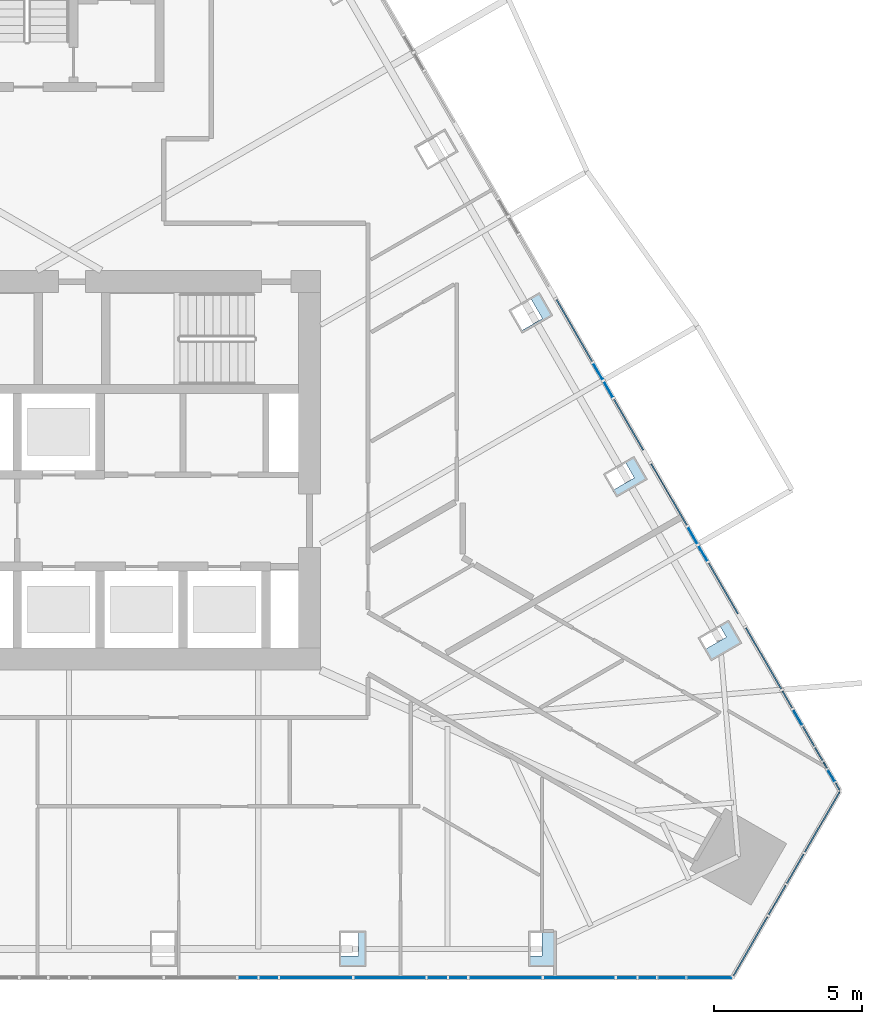
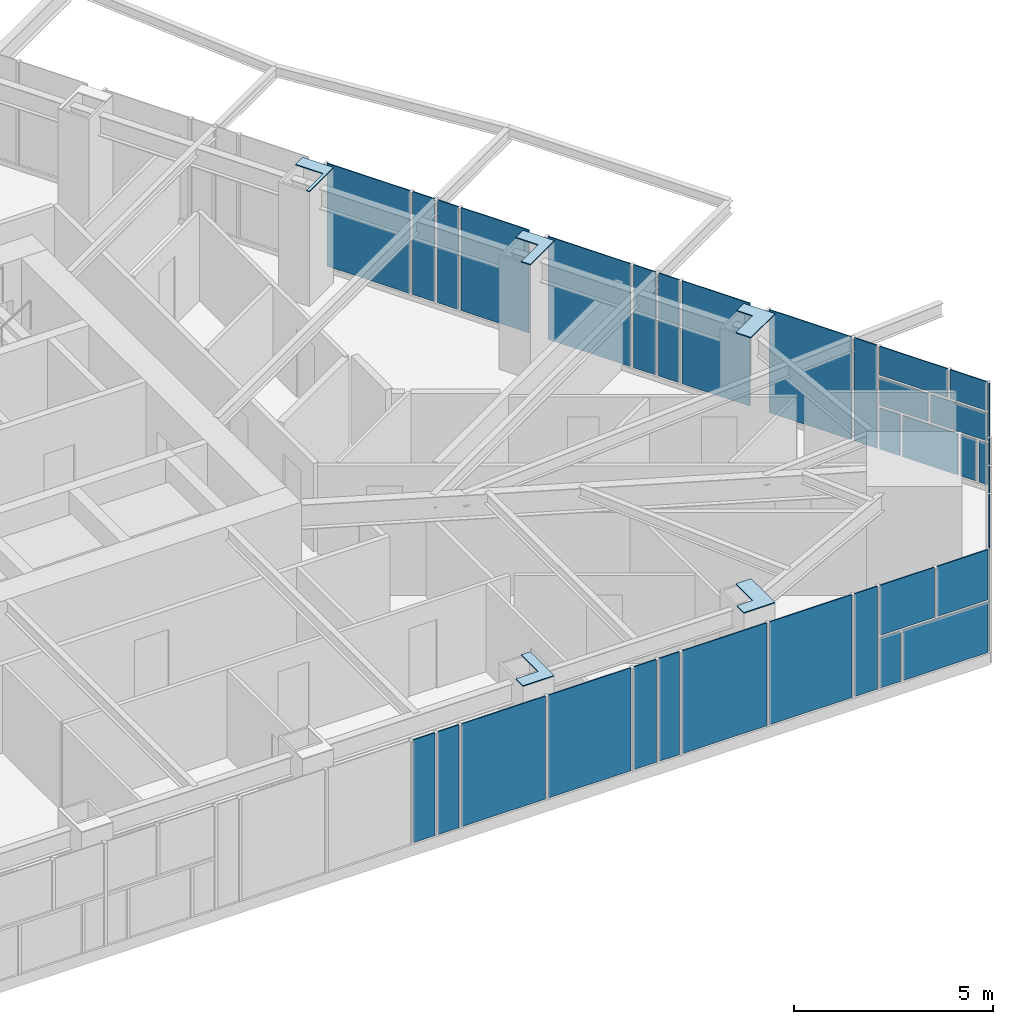
# One storey, part 19 of 26: 40 plates, 3 elements without a shape of their own.
"""IFC4 building model written with IfcOpenShell, lengths in metres."""

from ifc_helpers import new_model, si_unit, direction, frame, origin, place, context, subcontext, project, spatial, polyline, outline, extrude, material, layer, layer_set, type_object, element, aggregate, save


model = new_model("IFC4")

# Units and contexts
model_context = context("Model", 3, precision=1e-05, world=origin(), true_north=direction((0.0, 1.0)))
body_context = subcontext(model_context, "Body", "Model", "MODEL_VIEW")
ifc_project = project(units=[si_unit("LENGTHUNIT", "METRE"), si_unit("AREAUNIT", "SQUARE_METRE"), si_unit("VOLUMEUNIT", "CUBIC_METRE"), si_unit("PLANEANGLEUNIT", "RADIAN"), si_unit("MASSUNIT", "GRAM", prefix="KILO")], contexts=[model_context])

# Site, building, storey
site_placement = place(None, origin())
site = spatial("IfcSite", under=ifc_project, at=site_placement, CompositionType="ELEMENT")
building_placement = place(site_placement, origin())
building = spatial("IfcBuilding", under=site, at=building_placement, Name="Firuza Gate Tower and Library", CompositionType="ELEMENT")
storey_placement = place(building_placement, frame((0.0, 0.0, 288.10009765625)))
storey = spatial("IfcBuildingStorey", under=building, at=storey_placement, Name="L69", CompositionType="ELEMENT", Elevation=288.10009765625)

# Plates
ifc_material_1 = material(Name="Steel S355", Category="steel")
ifc_layer_1 = layer(ifc_material_1, 0.030029296875)
ifc_layer_set_1 = layer_set([ifc_layer_1], Name="Column infill plate 30 Steel S355")
plate_type_1 = type_object("IfcPlateType", Name="Column infill plate 30 Steel S355", PredefinedType="SHEET", material=ifc_layer_set_1)
placement_1 = place(storey_placement, frame((0.0, 0.0, 3.5)))
element("IfcPlate", 1, at=placement_1, inside=storey, type_object=plate_type_1, Name="Infill plate L69:S5", PredefinedType="SHEET", context=body_context, shape_type="SweptSolid", body=[
    extrude(outline(polyline([(85.033935546875, 59.431884765625), (84.77001953125, 59.431884765625), (84.77001953125, 58.587646484375), (84.134033203125, 58.587646484375), (84.134033203125, 58.23193359375), (85.033935546875, 58.23193359375), (85.033935546875, 59.431884765625)])), origin(), (0.0, 0.0, 1.0), 0.02978515625),
])
element("IfcPlate", 2, at=placement_1, inside=storey, type_object=plate_type_1, Name="Infill plate L69:S6", PredefinedType="SHEET", context=body_context, shape_type="SweptSolid", body=[
    extrude(outline(polyline([(91.42333984375, 59.431884765625), (90.9833984375, 59.431884765625), (90.9833984375, 58.587646484375), (90.5234375, 58.587646484375), (90.5234375, 58.23193359375), (91.42333984375, 58.23193359375), (91.42333984375, 59.431884765625)])), origin(), (0.0, 0.0, 1.0), 0.02978515625),
])
element("IfcPlate", 3, at=placement_1, inside=storey, type_object=plate_type_1, Name="Infill plate L69:E1", PredefinedType="SHEET", context=body_context, shape_type="SweptSolid", body=[
    extrude(outline(polyline([(97.283203125, 69.9404296875), (96.97509765625, 69.7626953125), (97.205078125, 69.3642578125), (96.473876953125, 68.942138671875), (96.69384765625, 68.56103515625), (97.733154296875, 69.160888671875), (97.283203125, 69.9404296875)])), origin(), (0.0, 0.0, 1.0), 0.02978515625),
])
element("IfcPlate", 4, at=placement_1, inside=storey, type_object=plate_type_1, Name="Infill plate L69:E2", PredefinedType="SHEET", context=body_context, shape_type="SweptSolid", body=[
    extrude(outline(polyline([(94.088623046875, 75.4736328125), (93.780517578125, 75.2958984375), (94.0986328125, 74.7451171875), (93.3671875, 74.322998046875), (93.499267578125, 74.09423828125), (94.53857421875, 74.6943359375), (94.088623046875, 75.4736328125)])), origin(), (0.0, 0.0, 1.0), 0.02978515625),
])
element("IfcPlate", 5, at=placement_1, inside=storey, type_object=plate_type_1, Name="Infill plate L69:E3", PredefinedType="SHEET", context=body_context, shape_type="SweptSolid", body=[
    extrude(outline(polyline([(90.893798828125, 81.007080078125), (90.5859375, 80.829345703125), (90.991943359375, 80.1259765625), (90.2607421875, 79.703857421875), (90.3046875, 79.627685546875), (91.34375, 80.2275390625), (90.893798828125, 81.007080078125)])), origin(), (0.0, 0.0, 1.0), 0.02978515625),
])

# Curtain wall, plates
ifc_material_2 = material(Name="Aluminium 6063-T6", Category="aluminium")
ifc_layer_2 = layer(ifc_material_2, 0.14990234375)
ifc_layer_set_2 = layer_set([ifc_layer_2], Name="Corner curtain wall, chamfers")
curtain_wall_type_1 = type_object("IfcCurtainWallType", Name="Corner curtain wall, chamfers", PredefinedType="NOTDEFINED", material=ifc_layer_set_2)
placement_2 = place(storey_placement, origin())
curtain_wall_1 = element("IfcCurtainWall", 6, at=placement_2, inside=storey, type_object=curtain_wall_type_1, Name="CW4 L69 SE corner", PredefinedType="NOTDEFINED")
ifc_material_3 = material(Name="Fritted glass", Category="glass")
ifc_layer_3 = layer(ifc_material_3, 0.030029296875)
ifc_layer_set_3 = layer_set([ifc_layer_3], Name="Fritted glass unit, corners")
plate_type_2 = type_object("IfcPlateType", Name="Fritted glass unit, corners", PredefinedType="CURTAIN_PANEL", material=ifc_layer_set_3)
plate_6_placement = place(storey_placement, frame((98.6494140625, 59.98095703125, 0.14990234375), z_axis=(0.865918566217, -0.500185002455, 0.0), x_axis=(0.500185002455, 0.865918566217, 0.0)))
plate_6 = element("IfcPlate", 7, at=plate_6_placement, type_object=plate_type_2, Name="Glass unit", PredefinedType="CURTAIN_PANEL", context=body_context, shape_type="SweptSolid", body=[
    extrude(outline(polyline([(0.0, 0.0), (1.142155521847966, 0.0), (1.142155521847966, 3.14990234375), (0.0, 3.14990234375), (0.0, 0.0)])), origin(), (0.0, 0.0, -1.0), 0.030029296875),
])
plate_7_placement = place(storey_placement, frame((99.260498046875, 61.039306640625, 0.14990234375), z_axis=(0.865972029493, -0.500092435591, 0.0), x_axis=(0.500092435591, 0.865972029493, 0.0)))
plate_7 = element("IfcPlate", 8, at=plate_7_placement, type_object=plate_type_2, Name="Glass unit", PredefinedType="CURTAIN_PANEL", context=body_context, shape_type="SweptSolid", body=[
    extrude(outline(polyline([(0.0, 0.0), (1.142366934274804, 0.0), (1.142366934274804, 3.14990234375), (0.0, 3.14990234375), (0.0, 0.0)])), origin(), (0.0, 0.0, -1.0), 0.030029296875),
])

ifc_material_4 = material(Name="Aluminium 6063-T6", Category="aluminium")
ifc_layer_4 = layer(ifc_material_4, 0.14990234375)
ifc_layer_set_4 = layer_set([ifc_layer_4], Name="Unitised curtain wall, residences")
curtain_wall_type_2 = type_object("IfcCurtainWallType", Name="Unitised curtain wall, residences", PredefinedType="NOTDEFINED", material=ifc_layer_set_4)
curtain_wall_2 = element("IfcCurtainWall", 9, at=placement_2, inside=storey, type_object=curtain_wall_type_2, Name="CW3 L69 S face", PredefinedType="NOTDEFINED")
ifc_material_5 = material(Name="Fritted glass", Category="glass")
ifc_layer_5 = layer(ifc_material_5, 0.030029296875)
ifc_layer_set_5 = layer_set([ifc_layer_5], Name="Fritted glass unit, residences")
plate_type_3 = type_object("IfcPlateType", Name="Fritted glass unit, residences", PredefinedType="CURTAIN_PANEL", material=ifc_layer_set_5)
plate_8_placement = place(storey_placement, frame((80.727783203125, 57.842041015625, 0.14990234375), z_axis=(0.0, -1.0, 0.0), x_axis=(1.0, 0.0, 0.0)))
plate_8 = element("IfcPlate", 10, at=plate_8_placement, type_object=plate_type_3, Name="Glass unit", PredefinedType="CURTAIN_PANEL", context=body_context, shape_type="SweptSolid", body=[
    extrude(outline(polyline([(0.0, 0.0), (0.634033203125, 0.0), (0.634033203125, 3.14990234375), (0.0, 3.14990234375), (0.0, 0.0)])), origin(), (0.0, 0.0, -1.0), 0.030029296875),
])
plate_9_placement = place(storey_placement, frame((81.441650390625, 57.842041015625, 0.14990234375), z_axis=(0.0, -1.0, 0.0), x_axis=(1.0, 0.0, 0.0)))
plate_9 = element("IfcPlate", 11, at=plate_9_placement, type_object=plate_type_3, Name="Glass unit", PredefinedType="CURTAIN_PANEL", context=body_context, shape_type="SweptSolid", body=[
    extrude(outline(polyline([(0.0, 0.0), (0.609130859375, 0.0), (0.609130859375, 3.14990234375), (0.0, 3.14990234375), (0.0, 0.0)])), origin(), (0.0, 0.0, -1.0), 0.030029296875),
])
plate_10_placement = place(storey_placement, frame((87.1171875, 57.842041015625, 0.14990234375), z_axis=(0.0, -1.0, 0.0), x_axis=(1.0, 0.0, 0.0)))
plate_10 = element("IfcPlate", 12, at=plate_10_placement, type_object=plate_type_3, Name="Glass unit", PredefinedType="CURTAIN_PANEL", context=body_context, shape_type="SweptSolid", body=[
    extrude(outline(polyline([(0.0, 0.0), (0.646240234375, 0.0), (0.646240234375, 3.14990234375), (0.0, 3.14990234375), (0.0, 0.0)])), origin(), (0.0, 0.0, -1.0), 0.030029296875),
])
plate_11_placement = place(storey_placement, frame((87.843505859375, 57.842041015625, 0.14990234375), z_axis=(0.0, -1.0, 0.0), x_axis=(1.0, 0.0, 0.0)))
plate_11 = element("IfcPlate", 13, at=plate_11_placement, type_object=plate_type_3, Name="Glass unit", PredefinedType="CURTAIN_PANEL", context=body_context, shape_type="SweptSolid", body=[
    extrude(outline(polyline([(0.0, 0.0), (0.5966796875, 0.0), (0.5966796875, 3.14990234375), (0.0, 3.14990234375), (0.0, 0.0)])), origin(), (0.0, 0.0, -1.0), 0.030029296875),
])
plate_12_placement = place(storey_placement, frame((93.506591796875, 57.842041015625, 0.14990234375), z_axis=(0.0, -1.0, 0.0), x_axis=(1.0, 0.0, 0.0)))
plate_12 = element("IfcPlate", 14, at=plate_12_placement, type_object=plate_type_3, Name="Glass unit", PredefinedType="CURTAIN_PANEL", context=body_context, shape_type="SweptSolid", body=[
    extrude(outline(polyline([(0.0, 0.0), (0.658447265625, 0.0), (0.658447265625, 3.14990234375), (0.0, 3.14990234375), (0.0, 0.0)])), origin(), (0.0, 0.0, -1.0), 0.030029296875),
])
plate_13_placement = place(storey_placement, frame((94.2451171875, 57.842041015625, 0.14990234375), z_axis=(0.0, -1.0, 0.0), x_axis=(1.0, 0.0, 0.0)))
plate_13 = element("IfcPlate", 15, at=plate_13_placement, type_object=plate_type_3, Name="Glass unit", PredefinedType="CURTAIN_PANEL", context=body_context, shape_type="SweptSolid", body=[
    extrude(outline(polyline([(0.0, 0.0), (0.584228515625, 0.0), (0.584228515625, 1.534912109375), (0.0, 1.534912109375), (0.0, 0.0)])), origin(), (0.0, 0.0, -1.0), 0.030029296875),
])
plate_14_placement = place(storey_placement, frame((94.2451171875, 57.842041015625, 1.764892578125), z_axis=(0.0, -1.0, 0.0), x_axis=(1.0, 0.0, 0.0)))
plate_14 = element("IfcPlate", 16, at=plate_14_placement, type_object=plate_type_3, Name="Glass unit", PredefinedType="CURTAIN_PANEL", context=body_context, shape_type="SweptSolid", body=[
    extrude(outline(polyline([(0.0, 0.0), (1.567138671875, 0.0), (1.567138671875, 1.534912109375), (0.0, 1.534912109375), (0.0, 0.0)])), origin(), (0.0, 0.0, -1.0), 0.030029296875),
])

curtain_wall_3 = element("IfcCurtainWall", 17, at=placement_2, inside=storey, type_object=curtain_wall_type_2, Name="CW3 L69 E face", PredefinedType="NOTDEFINED")
plate_15_placement = place(storey_placement, frame((100.876708984375, 64.496337890625, 0.14990234375), z_axis=(0.865959247497, 0.500114568548, 0.0), x_axis=(-0.500114568548, 0.865959247497, 0.0)))
plate_15 = element("IfcPlate", 18, at=plate_15_placement, type_object=plate_type_3, Name="Glass unit", PredefinedType="CURTAIN_PANEL", context=body_context, shape_type="SweptSolid", body=[
    extrude(outline(polyline([(0.0, 0.0), (0.4491158409002246, 0.0), (0.4491158409002246, 1.260009765625), (0.0, 1.260009765625), (0.0, 0.0)])), origin(), (0.0, 0.0, -1.0), 0.030029296875),
])
plate_16_placement = place(storey_placement, frame((99.77392578125, 66.40625, 0.14990234375), z_axis=(0.866178629724, 0.499734510926, 0.0), x_axis=(-0.499734510926, 0.866178629724, 0.0)))
plate_16 = element("IfcPlate", 19, at=plate_16_placement, type_object=plate_type_3, Name="Glass unit", PredefinedType="CURTAIN_PANEL", context=body_context, shape_type="SweptSolid", body=[
    extrude(outline(polyline([(0.0, 0.0), (0.5842946226767963, 0.0), (0.5842946226767963, 1.260009765625), (0.0, 1.260009765625), (0.0, 0.0)])), origin(), (0.0, 0.0, -1.0), 0.030029296875),
])
plate_17_placement = place(storey_placement, frame((100.181640625, 65.699951171875, 1.489990234375), z_axis=(0.866110083249, 0.499853302173, 0.0), x_axis=(-0.499853302173, 0.866110083249, 0.0)))
plate_17 = element("IfcPlate", 20, at=plate_17_placement, type_object=plate_type_3, Name="Glass unit", PredefinedType="CURTAIN_PANEL", context=body_context, shape_type="SweptSolid", body=[
    extrude(outline(polyline([(0.0, 0.0), (1.3998247650013846, 0.0), (1.3998247650013846, 0.8449707031250002), (0.0, 0.8449707031250002), (0.0, 0.0)])), origin(), (0.0, 0.0, -1.0), 0.030029296875),
])
plate_18_placement = place(storey_placement, frame((100.463134765625, 65.212646484375, 2.414794921875), z_axis=(0.866053012549, 0.499952177167, 0.0), x_axis=(-0.499952177167, 0.866053012549, 0.0)))
plate_18 = element("IfcPlate", 21, at=plate_18_placement, type_object=plate_type_3, Name="Glass unit", PredefinedType="CURTAIN_PANEL", context=body_context, shape_type="SweptSolid", body=[
    extrude(outline(polyline([(0.0, 0.0), (1.9625900569832617, 0.0), (1.9625900569832617, 0.885009765625), (0.0, 0.885009765625), (0.0, 0.0)])), origin(), (0.0, 0.0, -1.0), 0.030029296875),
])
plate_19_placement = place(storey_placement, frame((99.44189453125, 66.9814453125, 0.14990234375), z_axis=(0.865975674536, 0.500086123694, 0.0), x_axis=(-0.500086123694, 0.865975674536, 0.0)))
plate_19 = element("IfcPlate", 22, at=plate_19_placement, type_object=plate_type_3, Name="Glass unit", PredefinedType="CURTAIN_PANEL", context=body_context, shape_type="SweptSolid", body=[
    extrude(outline(polyline([(0.0, 0.0), (0.658577967915076, 0.0), (0.658577967915076, 3.149902343750001), (0.0, 3.149902343750001), (0.0, 0.0)])), origin(), (0.0, 0.0, -1.0), 0.030029296875),
])
plate_20_placement = place(storey_placement, frame((96.579345703125, 71.939453125, 0.14990234375), z_axis=(0.866069779101, 0.499923131819, 0.0), x_axis=(-0.499923131819, 0.866069779101, 0.0)))
plate_20 = element("IfcPlate", 23, at=plate_20_placement, type_object=plate_type_3, Name="Glass unit", PredefinedType="CURTAIN_PANEL", context=body_context, shape_type="SweptSolid", body=[
    extrude(outline(polyline([(0.0, 0.0), (0.596771432968729, 0.0), (0.596771432968729, 3.149902343750001), (0.0, 3.149902343750001), (0.0, 0.0)])), origin(), (0.0, 0.0, -1.0), 0.030029296875),
])
plate_21_placement = place(storey_placement, frame((96.240966796875, 72.525634765625, 0.14990234375), z_axis=(0.866072329375, 0.499918713684, 0.0), x_axis=(-0.499918713684, 0.866072329375, 0.0)))
plate_21 = element("IfcPlate", 24, at=plate_21_placement, type_object=plate_type_3, Name="Glass unit", PredefinedType="CURTAIN_PANEL", context=body_context, shape_type="SweptSolid", body=[
    extrude(outline(polyline([(0.0, 0.0), (0.6461011321120034, 0.0), (0.6461011321120034, 3.14990234375), (0.0, 3.14990234375), (0.0, 0.0)])), origin(), (0.0, 0.0, -1.0), 0.030029296875),
])
plate_22_placement = place(storey_placement, frame((93.384765625, 77.472900390625, 0.14990234375), z_axis=(0.865865073245, 0.500277597875, 0.0), x_axis=(-0.500277597875, 0.865865073245, 0.0)))
plate_22 = element("IfcPlate", 25, at=plate_22_placement, type_object=plate_type_3, Name="Glass unit", PredefinedType="CURTAIN_PANEL", context=body_context, shape_type="SweptSolid", body=[
    extrude(outline(polyline([(0.0, 0.0), (0.609036865321232, 0.0), (0.609036865321232, 3.14990234375), (0.0, 3.14990234375), (0.0, 0.0)])), origin(), (0.0, 0.0, -1.0), 0.030029296875),
])
plate_23_placement = place(storey_placement, frame((93.0400390625, 78.069580078125, 0.14990234375), z_axis=(0.8660059538, 0.500033686847, 0.0), x_axis=(-0.500033686847, 0.8660059538, 0.0)))
plate_23 = element("IfcPlate", 26, at=plate_23_placement, type_object=plate_type_3, Name="Glass unit", PredefinedType="CURTAIN_PANEL", context=body_context, shape_type="SweptSolid", body=[
    extrude(outline(polyline([(0.0, 0.0), (0.633746364665844, 0.0), (0.633746364665844, 3.14990234375), (0.0, 3.14990234375), (0.0, 0.0)])), origin(), (0.0, 0.0, -1.0), 0.030029296875),
])

# Plate
ifc_material_6 = material(Name="Glazed ceramic tile")
ifc_layer_6 = layer(ifc_material_6, 0.030029296875)
ifc_layer_set_6 = layer_set([ifc_layer_6], Name="Opaque ceramic panel, corners")
plate_type_4 = type_object("IfcPlateType", Name="Opaque ceramic panel, corners", PredefinedType="CURTAIN_PANEL", material=ifc_layer_set_6)
plate_24_placement = place(storey_placement, frame((97.43896484375, 57.884033203125, 0.14990234375), z_axis=(0.866020616849, -0.500008291124, 0.0), x_axis=(0.500008291124, 0.866020616849, 0.0)))
plate_24 = element("IfcPlate", 27, at=plate_24_placement, type_object=plate_type_4, Name="Opaque ceramic panel", PredefinedType="CURTAIN_PANEL", context=body_context, shape_type="SweptSolid", body=[
    extrude(outline(polyline([(0.0, 0.0), (2.3412697702317513, 0.0), (2.3412697702317513, 3.14990234375), (0.0, 3.14990234375), (0.0, 0.0)])), origin(), (0.0, 0.0, -1.0), 0.030029296875),
])

plate_25_placement = place(storey_placement, frame((99.87158203125, 62.09765625, 0.14990234375), z_axis=(0.866020616849, -0.500008291124, 0.0), x_axis=(0.500008291124, 0.866020616849, 0.0)))
plate_25 = element("IfcPlate", 28, at=plate_25_placement, type_object=plate_type_4, Name="Opaque ceramic panel", PredefinedType="CURTAIN_PANEL", context=body_context, shape_type="SweptSolid", body=[
    extrude(outline(polyline([(0.0, 0.0), (2.3412697702317513, 0.0), (2.3412697702317513, 3.14990234375), (0.0, 3.14990234375), (0.0, 0.0)])), origin(), (0.0, 0.0, -1.0), 0.030029296875),
])

aggregate(curtain_wall_1, [plate_24, plate_6, plate_7, plate_25])

ifc_material_7 = material(Name="Glazed ceramic tile")
ifc_layer_7 = layer(ifc_material_7, 0.030029296875)
ifc_layer_set_7 = layer_set([ifc_layer_7], Name="Opaque ceramic panel, residences")
plate_type_5 = type_object("IfcPlateType", Name="Opaque ceramic panel, residences", PredefinedType="CURTAIN_PANEL", material=ifc_layer_set_7)
plate_26_placement = place(storey_placement, frame((82.130859375, 57.842041015625, 0.14990234375), z_axis=(0.0, -1.0, 0.0), x_axis=(1.0, 0.0, 0.0)))
plate_26 = element("IfcPlate", 29, at=plate_26_placement, type_object=plate_type_5, Name="Opaque ceramic panel", PredefinedType="CURTAIN_PANEL", context=body_context, shape_type="SweptSolid", body=[
    extrude(outline(polyline([(0.0, 0.0), (2.431640625, 0.0), (2.431640625, 3.14990234375), (0.0, 3.14990234375), (0.0, 0.0)])), origin(), (0.0, 0.0, -1.0), 0.030029296875),
])

plate_27_placement = place(storey_placement, frame((84.642578125, 57.842041015625, 0.14990234375), z_axis=(0.0, -1.0, 0.0), x_axis=(1.0, 0.0, 0.0)))
plate_27 = element("IfcPlate", 30, at=plate_27_placement, type_object=plate_type_5, Name="Opaque ceramic panel", PredefinedType="CURTAIN_PANEL", context=body_context, shape_type="SweptSolid", body=[
    extrude(outline(polyline([(0.0, 0.0), (2.39453125, 0.0), (2.39453125, 3.14990234375), (0.0, 3.14990234375), (0.0, 0.0)])), origin(), (0.0, 0.0, -1.0), 0.030029296875),
])

plate_28_placement = place(storey_placement, frame((88.52001953125, 57.842041015625, 0.14990234375), z_axis=(0.0, -1.0, 0.0), x_axis=(1.0, 0.0, 0.0)))
plate_28 = element("IfcPlate", 31, at=plate_28_placement, type_object=plate_type_5, Name="Opaque ceramic panel", PredefinedType="CURTAIN_PANEL", context=body_context, shape_type="SweptSolid", body=[
    extrude(outline(polyline([(0.0, 0.0), (2.4443359375, 0.0), (2.4443359375, 3.14990234375), (0.0, 3.14990234375), (0.0, 0.0)])), origin(), (0.0, 0.0, -1.0), 0.030029296875),
])

plate_29_placement = place(storey_placement, frame((91.044189453125, 57.842041015625, 0.14990234375), z_axis=(0.0, -1.0, 0.0), x_axis=(1.0, 0.0, 0.0)))
plate_29 = element("IfcPlate", 32, at=plate_29_placement, type_object=plate_type_5, Name="Opaque ceramic panel", PredefinedType="CURTAIN_PANEL", context=body_context, shape_type="SweptSolid", body=[
    extrude(outline(polyline([(0.0, 0.0), (2.38232421875, 0.0), (2.38232421875, 3.14990234375), (0.0, 3.14990234375), (0.0, 0.0)])), origin(), (0.0, 0.0, -1.0), 0.030029296875),
])

plate_30_placement = place(storey_placement, frame((94.909423828125, 57.842041015625, 0.14990234375), z_axis=(0.0, -1.0, 0.0), x_axis=(1.0, 0.0, 0.0)))
plate_30 = element("IfcPlate", 33, at=plate_30_placement, type_object=plate_type_5, Name="Opaque ceramic panel", PredefinedType="CURTAIN_PANEL", context=body_context, shape_type="SweptSolid", body=[
    extrude(outline(polyline([(0.0, 0.0), (2.45654296875, 0.0), (2.45654296875, 1.534912109375), (0.0, 1.534912109375), (0.0, 0.0)])), origin(), (0.0, 0.0, -1.0), 0.030029296875),
])

plate_31_placement = place(storey_placement, frame((95.89208984375, 57.842041015625, 1.764892578125), z_axis=(0.0, -1.0, 0.0), x_axis=(1.0, 0.0, 0.0)))
plate_31 = element("IfcPlate", 34, at=plate_31_placement, type_object=plate_type_5, Name="Opaque ceramic panel", PredefinedType="CURTAIN_PANEL", context=body_context, shape_type="SweptSolid", body=[
    extrude(outline(polyline([(0.0, 0.0), (1.473876953125, 0.0), (1.473876953125, 1.534912109375), (0.0, 1.534912109375), (0.0, 0.0)])), origin(), (0.0, 0.0, -1.0), 0.030029296875),
])

aggregate(curtain_wall_2, [plate_8, plate_9, plate_26, plate_27, plate_10, plate_11, plate_28, plate_29, plate_12, plate_13, plate_30, plate_14, plate_31])

plate_32_placement = place(storey_placement, frame((101.042236328125, 64.20947265625, 0.14990234375), z_axis=(0.866201770413, 0.499694399542, 0.0), x_axis=(-0.499694399542, 0.866201770413, 0.0)))
plate_32 = element("IfcPlate", 35, at=plate_32_placement, type_object=plate_type_5, Name="Opaque ceramic panel", PredefinedType="CURTAIN_PANEL", context=body_context, shape_type="SweptSolid", body=[
    extrude(outline(polyline([(0.0, 0.0), (0.25113005341856437, 0.0), (0.25113005341856437, 1.260009765625), (0.0, 1.260009765625), (0.0, 0.0)])), origin(), (0.0, 0.0, -1.0), 0.030029296875),
])

plate_33_placement = place(storey_placement, frame((100.612060546875, 64.95458984375, 0.14990234375), z_axis=(0.866022570692, 0.500004907028, 0.0), x_axis=(-0.500004907028, 0.866022570692, 0.0)))
plate_33 = element("IfcPlate", 36, at=plate_33_placement, type_object=plate_type_5, Name="Opaque ceramic panel", PredefinedType="CURTAIN_PANEL", context=body_context, shape_type="SweptSolid", body=[
    extrude(outline(polyline([(0.0, 0.0), (1.5961757412921005, 0.0), (1.5961757412921005, 1.2600097656250002), (0.0, 1.2600097656250002), (0.0, 0.0)])), origin(), (0.0, 0.0, -1.0), 0.030029296875),
])

plate_34_placement = place(storey_placement, frame((101.042236328125, 64.20947265625, 1.489990234375), z_axis=(0.866046869545, 0.499962818368, 0.0), x_axis=(-0.499962818368, 0.866046869545, 0.0)))
plate_34 = element("IfcPlate", 37, at=plate_34_placement, type_object=plate_type_5, Name="Opaque ceramic panel", PredefinedType="CURTAIN_PANEL", context=body_context, shape_type="SweptSolid", body=[
    extrude(outline(polyline([(0.0, 0.0), (1.6412353288644128, 0.0), (1.6412353288644128, 0.844970703125), (0.0, 0.844970703125), (0.0, 0.0)])), origin(), (0.0, 0.0, -1.0), 0.030029296875),
])

plate_35_placement = place(storey_placement, frame((101.042236328125, 64.20947265625, 2.414794921875), z_axis=(0.866061165757, 0.499938053331, 0.0), x_axis=(-0.499938053331, 0.866061165757, 0.0)))
plate_35 = element("IfcPlate", 38, at=plate_35_placement, type_object=plate_type_5, Name="Opaque ceramic panel", PredefinedType="CURTAIN_PANEL", context=body_context, shape_type="SweptSolid", body=[
    extrude(outline(polyline([(0.0, 0.0), (1.0782585890560759, 0.0), (1.0782585890560759, 0.885009765625), (0.0, 0.885009765625), (0.0, 0.0)])), origin(), (0.0, 0.0, -1.0), 0.030029296875),
])

plate_36_placement = place(storey_placement, frame((99.072509765625, 67.62109375, 0.14990234375), z_axis=(0.866033707122, 0.499985617921, 0.0), x_axis=(-0.499985617921, 0.866033707122, 0.0)))
plate_36 = element("IfcPlate", 39, at=plate_36_placement, type_object=plate_type_5, Name="Opaque ceramic panel", PredefinedType="CURTAIN_PANEL", context=body_context, shape_type="SweptSolid", body=[
    extrude(outline(polyline([(0.0, 0.0), (2.382392746271462, 0.0), (2.382392746271462, 3.14990234375), (0.0, 3.14990234375), (0.0, 0.0)])), origin(), (0.0, 0.0, -1.0), 0.030029296875),
])

plate_37_placement = place(storey_placement, frame((97.6025390625, 70.16748046875, 0.14990234375), z_axis=(0.865995333216, 0.500052080135, 0.0), x_axis=(-0.500052080135, 0.865995333216, 0.0)))
plate_37 = element("IfcPlate", 40, at=plate_37_placement, type_object=plate_type_5, Name="Opaque ceramic panel", PredefinedType="CURTAIN_PANEL", context=body_context, shape_type="SweptSolid", body=[
    extrude(outline(polyline([(0.0, 0.0), (1.966103803846466, 0.0), (1.966103803846466, 3.14990234375), (0.0, 3.14990234375), (0.0, 0.0)])), origin(), (0.0, 0.0, -1.0), 0.030029296875),
])

plate_38_placement = place(storey_placement, frame((95.8779296875, 73.154541015625, 0.14990234375), z_axis=(0.866025985952, 0.499998991654, 0.0), x_axis=(-0.499998991654, 0.866025985952, 0.0)))
plate_38 = element("IfcPlate", 41, at=plate_38_placement, type_object=plate_type_5, Name="Opaque ceramic panel", PredefinedType="CURTAIN_PANEL", context=body_context, shape_type="SweptSolid", body=[
    extrude(outline(polyline([(0.0, 0.0), (2.394536079040935, 0.0), (2.394536079040935, 3.149902343750001), (0.0, 3.149902343750001), (0.0, 0.0)])), origin(), (0.0, 0.0, -1.0), 0.030029296875),
])

plate_39_placement = place(storey_placement, frame((94.40771484375, 75.70068359375, 0.14990234375), z_axis=(0.866026378386, 0.499998311937, 0.0), x_axis=(-0.499998311937, 0.866026378386, 0.0)))
plate_39 = element("IfcPlate", 42, at=plate_39_placement, type_object=plate_type_5, Name="Opaque ceramic panel", PredefinedType="CURTAIN_PANEL", context=body_context, shape_type="SweptSolid", body=[
    extrude(outline(polyline([(0.0, 0.0), (1.9663152322782618, 0.0), (1.9663152322782618, 3.14990234375), (0.0, 3.14990234375), (0.0, 0.0)])), origin(), (0.0, 0.0, -1.0), 0.030029296875),
])

plate_40_placement = place(storey_placement, frame((92.68310546875, 78.687744140625, 0.14990234375), z_axis=(0.86606905308, 0.499924389581, 0.0), x_axis=(-0.499924389581, 0.86606905308, 0.0)))
plate_40 = element("IfcPlate", 43, at=plate_40_placement, type_object=plate_type_5, Name="Opaque ceramic panel", PredefinedType="CURTAIN_PANEL", context=body_context, shape_type="SweptSolid", body=[
    extrude(outline(polyline([(0.0, 0.0), (2.4071022852760766, 0.0), (2.4071022852760766, 3.14990234375), (0.0, 3.14990234375), (0.0, 0.0)])), origin(), (0.0, 0.0, -1.0), 0.030029296875),
])

aggregate(curtain_wall_3, [plate_32, plate_15, plate_33, plate_16, plate_34, plate_17, plate_35, plate_18, plate_19, plate_36, plate_37, plate_20, plate_21, plate_38, plate_39, plate_22, plate_23, plate_40])

save(model, "model.ifc")
